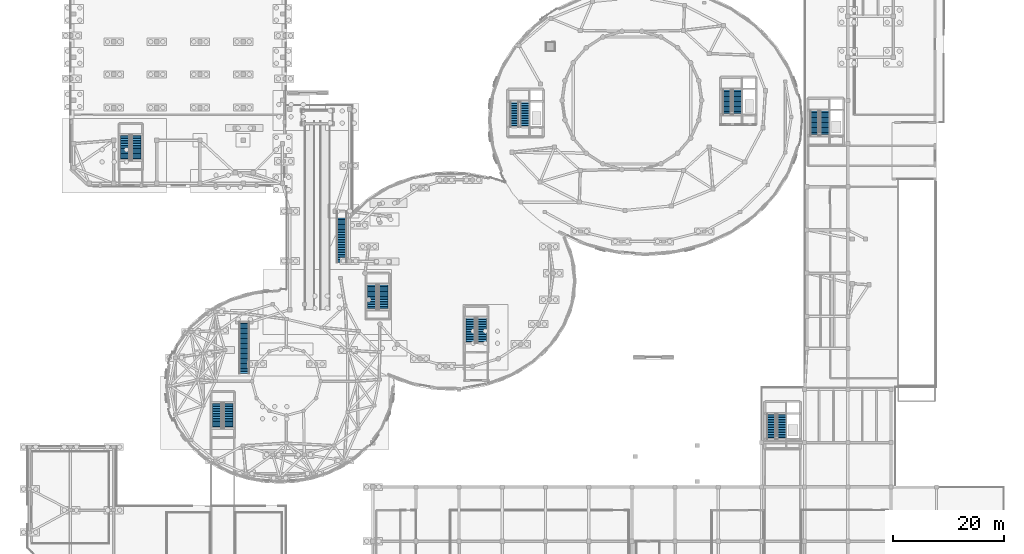
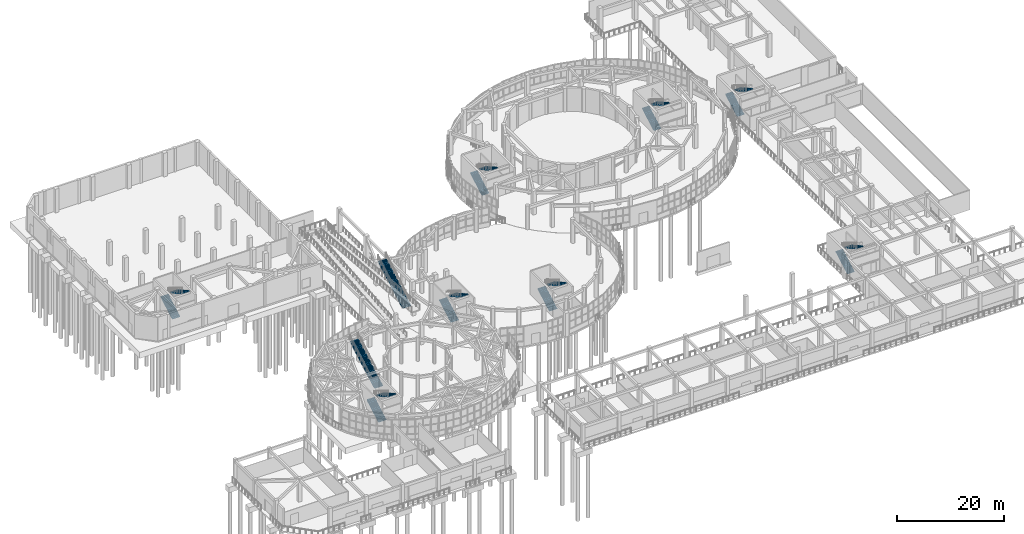
# One storey, part 80 of 96: 18 stair flights, 10 elements without a shape of their own.
"""IFC4 building model written with IfcOpenShell, lengths in metres."""

import ifcopenshell
import ifcopenshell.guid

model = None  # the IFC model being written
_history = None  # IfcOwnerHistory: only IFC2X3 demands one
_inside = {}  # id of a spatial element -> (the spatial element, [elements in it])
_under = {}  # id of a project, library or spatial element -> (it, [spatial elements below it])
_declared = {}  # id of a project -> (the project, [libraries it declares])
_typed = {}  # id of a type object -> (the type object, [elements of that type])
_made_of = {}  # id of a material, layer set ... -> (it, [elements and type objects made of it])


def new_model(schema):
    """Start an empty IFC model of exactly this schema.

    Asked for "IFC4X3", IfcOpenShell would pick the latest addendum, in which some entities
    have other attributes; the version numbers below select the first issue.
    IFC2X3 requires an IfcOwnerHistory on every rooted entity: one is made here for all.
    """
    global model, _history
    if schema == "IFC4X3":
        model = ifcopenshell.file(schema_version=(4, 3, 0, 0))
    else:
        model = ifcopenshell.file(schema=schema)
    _inside.clear()
    _under.clear()
    _declared.clear()
    _typed.clear()
    _made_of.clear()
    _history = None
    if model.schema == "IFC2X3":
        org = make("IfcOrganization", Name="unknown")
        user = make(
            "IfcPersonAndOrganization",
            ThePerson=make("IfcPerson", FamilyName="unknown"),
            TheOrganization=org,
        )
        app = make(
            "IfcApplication",
            ApplicationDeveloper=org,
            Version="unknown",
            ApplicationFullName="unknown",
            ApplicationIdentifier="unknown",
        )
        _history = make(
            "IfcOwnerHistory",
            OwningUser=user,
            OwningApplication=app,
            ChangeAction="ADDED",
            CreationDate=0,
        )
    return model


def make(cls, **values):
    """One entity of the class cls with the attributes given. An attribute that is None is left unset."""
    return model.create_entity(
        cls, **{name: value for name, value in values.items() if value is not None}
    )


def rooted(cls, **values):
    """An entity with a GlobalId (a new one), such as an element, a storey or a relation."""
    return make(cls, GlobalId=ifcopenshell.guid.new(), OwnerHistory=_history, **values)


def si_unit(unit_type, name, prefix=None):
    """IfcSIUnit, for example si_unit("LENGTHUNIT", "METRE", prefix="MILLI")."""
    return make("IfcSIUnit", UnitType=unit_type, Prefix=prefix, Name=name)


def assignment(units):
    """IfcUnitAssignment: the units of a project."""
    return None if units is None else make("IfcUnitAssignment", Units=units)


def point(xyz):
    """IfcCartesianPoint."""
    return None if xyz is None else make("IfcCartesianPoint", Coordinates=xyz)


def direction(xyz):
    """IfcDirection."""
    return None if xyz is None else make("IfcDirection", DirectionRatios=xyz)


def frame(location, z_axis=None, x_axis=None):
    """IfcAxis2Placement3D, a coordinate frame: its origin and axes. An axis left out is left unset."""
    return make(
        "IfcAxis2Placement3D",
        Location=point(location),
        Axis=direction(z_axis),
        RefDirection=direction(x_axis),
    )


def origin():
    """The frame at (0, 0, 0) with its axes left unset."""
    return frame((0.0, 0.0, 0.0))


def place(relative_to, where):
    """IfcLocalPlacement: puts the frame where relative to a parent placement (None: the world)."""
    return make(
        "IfcLocalPlacement", PlacementRelTo=relative_to, RelativePlacement=where
    )


def context(
    kind, dimensions, precision=None, world=None, true_north=None, identifier=None
):
    """IfcGeometricRepresentationContext, for example the 3D "Model" context."""
    return make(
        "IfcGeometricRepresentationContext",
        ContextIdentifier=identifier,
        ContextType=kind,
        CoordinateSpaceDimension=dimensions,
        Precision=precision,
        WorldCoordinateSystem=world,
        TrueNorth=true_north,
    )


def subcontext(parent, identifier, kind, view, scale=None):
    """IfcGeometricRepresentationSubContext, for example "Body" below "Model"."""
    return make(
        "IfcGeometricRepresentationSubContext",
        ContextIdentifier=identifier,
        ContextType=kind,
        ParentContext=parent,
        TargetScale=scale,
        TargetView=view,
    )


def project(units=None, contexts=None):
    """IfcProject with its units and contexts."""
    return rooted(
        "IfcProject",
        Name="project",
        RepresentationContexts=contexts,
        UnitsInContext=assignment(units),
    )


def spatial(cls, under=None, at=None, **own):
    """A site, building, storey or space (cls), placed at a placement, below another one or the project."""
    s = rooted(cls, ObjectPlacement=at, **own)
    if under is not None:
        _under.setdefault(under.id(), (under, []))[1].append(s)
    return s


def polyline(points):
    """IfcPolyline through the points."""
    return make("IfcPolyline", Points=[point(p) for p in points])


def outline(outer, holes=None, kind="AREA"):
    """IfcArbitraryClosedProfileDef: a profile drawn as a closed curve; with holes, ...WithVoids."""
    if holes is None:
        return make("IfcArbitraryClosedProfileDef", ProfileType=kind, OuterCurve=outer)
    return make(
        "IfcArbitraryProfileDefWithVoids",
        ProfileType=kind,
        OuterCurve=outer,
        InnerCurves=holes,
    )


def extrude(swept, where, along, depth):
    """IfcExtrudedAreaSolid: the profile swept, set in the frame where, extruded along a direction by depth."""
    return make(
        "IfcExtrudedAreaSolid",
        SweptArea=swept,
        Position=where,
        ExtrudedDirection=direction(along),
        Depth=depth,
    )


def shape(context_of_items, identifier, shape_type, items):
    """IfcShapeRepresentation: the items that make up one representation, for example the "Body"."""
    return make(
        "IfcShapeRepresentation",
        ContextOfItems=context_of_items,
        RepresentationIdentifier=identifier,
        RepresentationType=shape_type,
        Items=items,
    )


def material(Name=None, Category=None):
    """IfcMaterial."""
    return make("IfcMaterial", Name=Name, Category=Category)


def layer(
    of_material, thickness, ventilated=None, Name=None, Category=None, Priority=None
):
    """IfcMaterialLayer: one layer of a wall or slab, of a material (None: an air gap)."""
    return make(
        "IfcMaterialLayer",
        Material=of_material,
        LayerThickness=thickness,
        IsVentilated=ventilated,
        Name=Name,
        Category=Category,
        Priority=Priority,
    )


def layer_set(layers, Name=None):
    """IfcMaterialLayerSet."""
    return make("IfcMaterialLayerSet", MaterialLayers=layers, LayerSetName=Name)


def made_of(thing, what):
    """Note that an element or type object is made of a material, layer set ...; save() writes the relation."""
    if what is not None:
        _made_of.setdefault(what.id(), (what, []))[1].append(thing)
    return thing


def type_object(cls, material=None, **own):
    """A type object (cls), such as IfcWallType, which elements share."""
    return made_of(rooted(cls, **own), material)


def element(
    cls,
    number,
    at=None,
    inside=None,
    cuts=None,
    type_object=None,
    material=None,
    context=None,
    identifier="Body",
    shape_type=None,
    held_by="IfcProductDefinitionShape",
    body=None,
    shapes=None,
    **own,
):
    """One element of the class cls, such as IfcWall. Its Tag is "e" and its number.

    at: its placement. inside: the storey or other place that contains it. cuts: it is an
    opening in that element (IfcRelVoidsElement). A single representation is given by context,
    identifier, shape_type and body (its items); several are given by shapes. held_by: the class
    of the entity that holds the representations. save() writes the other relations.
    """
    e = rooted(cls, Tag="e%d" % number, ObjectPlacement=at, **own)
    if body is not None:
        shapes = [shape(context, identifier, shape_type, body)]
    if shapes is not None:
        e.Representation = make(held_by, Representations=shapes)
    if inside is not None:
        _inside.setdefault(inside.id(), (inside, []))[1].append(e)
    if cuts is not None:
        rooted(
            "IfcRelVoidsElement", RelatingBuildingElement=cuts, RelatedOpeningElement=e
        )
    if type_object is not None:
        _typed.setdefault(type_object.id(), (type_object, []))[1].append(e)
    return made_of(e, material)


def aggregate(whole, parts):
    """IfcRelAggregates: a whole, such as a stair, and the parts it consists of."""
    return rooted("IfcRelAggregates", RelatingObject=whole, RelatedObjects=parts)


def save(model, path):
    """Write the relations noted so far, then the file.

    IfcRelAggregates (storeys below a building ...), IfcRelContainedInSpatialStructure (elements
    in a storey), IfcRelDefinesByType, IfcRelAssociatesMaterial and IfcRelDeclares: one each for
    every whole, place, type object, material and project.
    """
    for whole, parts in _under.values():
        aggregate(whole, parts)
    for where, things in _inside.values():
        rooted(
            "IfcRelContainedInSpatialStructure",
            RelatedElements=things,
            RelatingStructure=where,
        )
    for kind, things in _typed.values():
        rooted("IfcRelDefinesByType", RelatedObjects=things, RelatingType=kind)
    for what, things in _made_of.values():
        rooted("IfcRelAssociatesMaterial", RelatedObjects=things, RelatingMaterial=what)
    for by, libraries in _declared.values():
        rooted("IfcRelDeclares", RelatingContext=by, RelatedDefinitions=libraries)
    model.write(path)


model = new_model("IFC4")

# Units and contexts
model_context = context("Model", 3, precision=1e-05, world=origin(), true_north=direction((0.0, 1.0)))
body_context = subcontext(model_context, "Body", "Model", "MODEL_VIEW")
ifc_project = project(units=[si_unit("LENGTHUNIT", "METRE"), si_unit("AREAUNIT", "SQUARE_METRE"), si_unit("VOLUMEUNIT", "CUBIC_METRE"), si_unit("PLANEANGLEUNIT", "RADIAN"), si_unit("MASSUNIT", "GRAM", prefix="KILO")], contexts=[model_context])

# Site, building, storey
site_placement = place(None, origin())
site = spatial("IfcSite", under=ifc_project, at=site_placement, CompositionType="ELEMENT")
building_placement = place(site_placement, origin())
building = spatial("IfcBuilding", under=site, at=building_placement, Name="Pelvatis Terrace Science Centre", CompositionType="ELEMENT")
storey_placement = place(building_placement, origin())
storey = spatial("IfcBuildingStorey", under=building, at=storey_placement, Name="L00", CompositionType="ELEMENT", Elevation=0.0)

# Stair, stair flights
ifc_material_1 = material(Name="Concrete C35/45", Category="concrete")
stair_type_1 = type_object("IfcStairType", Name="STR-2RUN-1500-54", PredefinedType="TWO_STRAIGHT_RUN_STAIR", material=ifc_material_1)
stair_1_placement = place(storey_placement, origin())
stair_1 = element("IfcStair", 1, at=stair_1_placement, inside=storey, type_object=stair_type_1, Name="Protected core stair ST-01-L00", PredefinedType="TWO_STRAIGHT_RUN_STAIR")
ifc_material_2 = material(Name="Concrete C35/45", Category="concrete")
ifc_layer_1 = layer(ifc_material_2, 0.179931640625)
ifc_layer_set_1 = layer_set([ifc_layer_1], Name="Concrete C35/45")
stair_flight_type_1 = type_object("IfcStairFlightType", Name="SFL-RC-1500", PredefinedType="STRAIGHT", material=ifc_layer_set_1)
stair_flight_1_placement = place(storey_placement, frame((87.949951171875, 81.0, 0.0), z_axis=(0.0, 0.0, 1.0), x_axis=(0.0, 1.0, 0.0)))
stair_flight_1 = element("IfcStairFlight", 2, at=stair_flight_1_placement, type_object=stair_flight_type_1, Name="ST-01-L00 flight 1", NumberOfRisers=16, NumberOfTreads=15, PredefinedType="STRAIGHT", RiserHeight=0.16875, TreadLength=0.3, context=body_context, shape_type="SweptSolid", body=[
    extrude(outline(polyline([(0.0, 0.0), (0.0, 0.168701171875), (0.300048828125, 0.168701171875), (0.300048828125, 0.33740234375), (0.60009765625, 0.33740234375), (0.60009765625, 0.50634765625), (0.89990234375, 0.50634765625), (0.89990234375, 0.675048828125), (1.199951171875, 0.675048828125), (1.199951171875, 0.84375), (1.5, 0.84375), (1.5, 1.012451171875), (1.800048828125, 1.012451171875), (1.800048828125, 1.18115234375), (2.10009765625, 1.18115234375), (2.10009765625, 1.35009765625), (2.39990234375, 1.35009765625), (2.39990234375, 1.518798828125), (2.699951171875, 1.518798828125), (2.699951171875, 1.6875), (3.0, 1.6875), (3.0, 1.856201171875), (3.300048828125, 1.856201171875), (3.300048828125, 2.02490234375), (3.60009765625, 2.02490234375), (3.60009765625, 2.19384765625), (3.89990234375, 2.19384765625), (3.89990234375, 2.362548828125), (4.199951171875, 2.362548828125), (4.199951171875, 2.53125), (4.5, 2.53125), (4.5, 2.699951171875), (4.5, 2.32470703125), (0.366943359375, 0.0), (0.0, 0.0)])), frame((0.0, 0.75, 0.0), z_axis=(0.0, -1.0, 0.0), x_axis=(1.0, 0.0, 0.0)), (0.0, 0.0, 1.0), 1.5),
])
stair_flight_2_placement = place(storey_placement, frame((89.85009765625, 85.5, 2.699951171875), z_axis=(0.0, 0.0, 1.0), x_axis=(0.0, -1.0, 0.0)))
stair_flight_2 = element("IfcStairFlight", 3, at=stair_flight_2_placement, type_object=stair_flight_type_1, Name="ST-01-L00 flight 2", NumberOfRisers=16, NumberOfTreads=15, PredefinedType="STRAIGHT", RiserHeight=0.16875, TreadLength=0.3, context=body_context, shape_type="SweptSolid", body=[
    extrude(outline(polyline([(0.0, 0.0), (0.0, 0.168701171875), (0.300048828125, 0.168701171875), (0.300048828125, 0.33740234375), (0.60009765625, 0.33740234375), (0.60009765625, 0.50634765625), (0.89990234375, 0.50634765625), (0.89990234375, 0.675048828125), (1.199951171875, 0.675048828125), (1.199951171875, 0.84375), (1.5, 0.84375), (1.5, 1.012451171875), (1.800048828125, 1.012451171875), (1.800048828125, 1.18115234375), (2.10009765625, 1.18115234375), (2.10009765625, 1.35009765625), (2.39990234375, 1.35009765625), (2.39990234375, 1.518798828125), (2.699951171875, 1.518798828125), (2.699951171875, 1.6875), (3.0, 1.6875), (3.0, 1.856201171875), (3.300048828125, 1.856201171875), (3.300048828125, 2.02490234375), (3.60009765625, 2.02490234375), (3.60009765625, 2.19384765625), (3.89990234375, 2.19384765625), (3.89990234375, 2.362548828125), (4.199951171875, 2.362548828125), (4.199951171875, 2.53125), (4.5, 2.53125), (4.5, 2.699951171875), (4.5, 2.32470703125), (0.366943359375, 0.0), (0.0, 0.0)])), frame((0.0, 0.75, 0.0), z_axis=(0.0, -1.0, 0.0), x_axis=(1.0, 0.0, 0.0)), (0.0, 0.0, 1.0), 1.5),
])
aggregate(stair_1, [stair_flight_1, stair_flight_2])

stair_2_placement = place(storey_placement, origin())
stair_2 = element("IfcStair", 4, at=stair_2_placement, inside=storey, type_object=stair_type_1, Name="Protected core stair ST-02-L00", PredefinedType="TWO_STRAIGHT_RUN_STAIR")
stair_flight_3_placement = place(storey_placement, frame((126.35009765625, 83.199951171875, 0.0), z_axis=(0.0, 0.0, 1.0), x_axis=(0.0, 1.0, 0.0)))
stair_flight_3 = element("IfcStairFlight", 5, at=stair_flight_3_placement, type_object=stair_flight_type_1, Name="ST-02-L00 flight 1", NumberOfRisers=16, NumberOfTreads=15, PredefinedType="STRAIGHT", RiserHeight=0.16875, TreadLength=0.3, context=body_context, shape_type="SweptSolid", body=[
    extrude(outline(polyline([(0.0, 0.0), (0.0, 0.168701171875), (0.300048828125, 0.168701171875), (0.300048828125, 0.33740234375), (0.60009765625, 0.33740234375), (0.60009765625, 0.50634765625), (0.89990234375, 0.50634765625), (0.89990234375, 0.675048828125), (1.199951171875, 0.675048828125), (1.199951171875, 0.84375), (1.5, 0.84375), (1.5, 1.012451171875), (1.800048828125, 1.012451171875), (1.800048828125, 1.18115234375), (2.10009765625, 1.18115234375), (2.10009765625, 1.35009765625), (2.39990234375, 1.35009765625), (2.39990234375, 1.518798828125), (2.699951171875, 1.518798828125), (2.699951171875, 1.6875), (3.0, 1.6875), (3.0, 1.856201171875), (3.300048828125, 1.856201171875), (3.300048828125, 2.02490234375), (3.60009765625, 2.02490234375), (3.60009765625, 2.19384765625), (3.89990234375, 2.19384765625), (3.89990234375, 2.362548828125), (4.199951171875, 2.362548828125), (4.199951171875, 2.53125), (4.5, 2.53125), (4.5, 2.699951171875), (4.5, 2.32470703125), (0.366943359375, 0.0), (0.0, 0.0)])), frame((0.0, 0.75, 0.0), z_axis=(0.0, -1.0, 0.0), x_axis=(1.0, 0.0, 0.0)), (0.0, 0.0, 1.0), 1.5),
])
stair_flight_4_placement = place(storey_placement, frame((128.25, 87.699951171875, 2.699951171875), z_axis=(0.0, 0.0, 1.0), x_axis=(0.0, -1.0, 0.0)))
stair_flight_4 = element("IfcStairFlight", 6, at=stair_flight_4_placement, type_object=stair_flight_type_1, Name="ST-02-L00 flight 2", NumberOfRisers=16, NumberOfTreads=15, PredefinedType="STRAIGHT", RiserHeight=0.16875, TreadLength=0.3, context=body_context, shape_type="SweptSolid", body=[
    extrude(outline(polyline([(0.0, 0.0), (0.0, 0.168701171875), (0.300048828125, 0.168701171875), (0.300048828125, 0.33740234375), (0.60009765625, 0.33740234375), (0.60009765625, 0.50634765625), (0.89990234375, 0.50634765625), (0.89990234375, 0.675048828125), (1.199951171875, 0.675048828125), (1.199951171875, 0.84375), (1.5, 0.84375), (1.5, 1.012451171875), (1.800048828125, 1.012451171875), (1.800048828125, 1.18115234375), (2.10009765625, 1.18115234375), (2.10009765625, 1.35009765625), (2.39990234375, 1.35009765625), (2.39990234375, 1.518798828125), (2.699951171875, 1.518798828125), (2.699951171875, 1.6875), (3.0, 1.6875), (3.0, 1.856201171875), (3.300048828125, 1.856201171875), (3.300048828125, 2.02490234375), (3.60009765625, 2.02490234375), (3.60009765625, 2.19384765625), (3.89990234375, 2.19384765625), (3.89990234375, 2.362548828125), (4.199951171875, 2.362548828125), (4.199951171875, 2.53125), (4.5, 2.53125), (4.5, 2.699951171875), (4.5, 2.32470703125), (0.366943359375, 0.0), (0.0, 0.0)])), frame((0.0, 0.75, 0.0), z_axis=(0.0, -1.0, 0.0), x_axis=(1.0, 0.0, 0.0)), (0.0, 0.0, 1.0), 1.5),
])
aggregate(stair_2, [stair_flight_3, stair_flight_4])

stair_3_placement = place(storey_placement, origin())
stair_3 = element("IfcStair", 7, at=stair_3_placement, inside=storey, type_object=stair_type_1, Name="Protected core stair ST-03-L00", PredefinedType="TWO_STRAIGHT_RUN_STAIR")
stair_flight_5_placement = place(storey_placement, frame((142.14990234375, 79.39990234375, 0.0), z_axis=(0.0, 0.0, 1.0), x_axis=(0.0, 1.0, 0.0)))
stair_flight_5 = element("IfcStairFlight", 8, at=stair_flight_5_placement, type_object=stair_flight_type_1, Name="ST-03-L00 flight 1", NumberOfRisers=16, NumberOfTreads=15, PredefinedType="STRAIGHT", RiserHeight=0.16875, TreadLength=0.3, context=body_context, shape_type="SweptSolid", body=[
    extrude(outline(polyline([(0.0, 0.0), (0.0, 0.168701171875), (0.300048828125, 0.168701171875), (0.300048828125, 0.33740234375), (0.60009765625, 0.33740234375), (0.60009765625, 0.50634765625), (0.89990234375, 0.50634765625), (0.89990234375, 0.675048828125), (1.199951171875, 0.675048828125), (1.199951171875, 0.84375), (1.5, 0.84375), (1.5, 1.012451171875), (1.800048828125, 1.012451171875), (1.800048828125, 1.18115234375), (2.10009765625, 1.18115234375), (2.10009765625, 1.35009765625), (2.39990234375, 1.35009765625), (2.39990234375, 1.518798828125), (2.699951171875, 1.518798828125), (2.699951171875, 1.6875), (3.0, 1.6875), (3.0, 1.856201171875), (3.300048828125, 1.856201171875), (3.300048828125, 2.02490234375), (3.60009765625, 2.02490234375), (3.60009765625, 2.19384765625), (3.89990234375, 2.19384765625), (3.89990234375, 2.362548828125), (4.199951171875, 2.362548828125), (4.199951171875, 2.53125), (4.5, 2.53125), (4.5, 2.699951171875), (4.5, 2.32470703125), (0.366943359375, 0.0), (0.0, 0.0)])), frame((0.0, 0.75, 0.0), z_axis=(0.0, -1.0, 0.0), x_axis=(1.0, 0.0, 0.0)), (0.0, 0.0, 1.0), 1.5),
])
stair_flight_6_placement = place(storey_placement, frame((144.050048828125, 83.89990234375, 2.699951171875), z_axis=(0.0, 0.0, 1.0), x_axis=(0.0, -1.0, 0.0)))
stair_flight_6 = element("IfcStairFlight", 9, at=stair_flight_6_placement, type_object=stair_flight_type_1, Name="ST-03-L00 flight 2", NumberOfRisers=16, NumberOfTreads=15, PredefinedType="STRAIGHT", RiserHeight=0.16875, TreadLength=0.3, context=body_context, shape_type="SweptSolid", body=[
    extrude(outline(polyline([(0.0, 0.0), (0.0, 0.168701171875), (0.300048828125, 0.168701171875), (0.300048828125, 0.33740234375), (0.60009765625, 0.33740234375), (0.60009765625, 0.50634765625), (0.89990234375, 0.50634765625), (0.89990234375, 0.675048828125), (1.199951171875, 0.675048828125), (1.199951171875, 0.84375), (1.5, 0.84375), (1.5, 1.012451171875), (1.800048828125, 1.012451171875), (1.800048828125, 1.18115234375), (2.10009765625, 1.18115234375), (2.10009765625, 1.35009765625), (2.39990234375, 1.35009765625), (2.39990234375, 1.518798828125), (2.699951171875, 1.518798828125), (2.699951171875, 1.6875), (3.0, 1.6875), (3.0, 1.856201171875), (3.300048828125, 1.856201171875), (3.300048828125, 2.02490234375), (3.60009765625, 2.02490234375), (3.60009765625, 2.19384765625), (3.89990234375, 2.19384765625), (3.89990234375, 2.362548828125), (4.199951171875, 2.362548828125), (4.199951171875, 2.53125), (4.5, 2.53125), (4.5, 2.699951171875), (4.5, 2.32470703125), (0.366943359375, 0.0), (0.0, 0.0)])), frame((0.0, 0.75, 0.0), z_axis=(0.0, -1.0, 0.0), x_axis=(1.0, 0.0, 0.0)), (0.0, 0.0, 1.0), 1.5),
])
aggregate(stair_3, [stair_flight_5, stair_flight_6])

stair_4_placement = place(storey_placement, origin())
stair_4 = element("IfcStair", 10, at=stair_4_placement, inside=storey, type_object=stair_type_1, Name="Protected core stair ST-04-L00", PredefinedType="TWO_STRAIGHT_RUN_STAIR")
stair_flight_7_placement = place(storey_placement, frame((134.35009765625, 24.60009765625, 0.0), z_axis=(0.0, 0.0, 1.0), x_axis=(0.0, 1.0, 0.0)))
stair_flight_7 = element("IfcStairFlight", 11, at=stair_flight_7_placement, type_object=stair_flight_type_1, Name="ST-04-L00 flight 1", NumberOfRisers=16, NumberOfTreads=15, PredefinedType="STRAIGHT", RiserHeight=0.16875, TreadLength=0.3, context=body_context, shape_type="SweptSolid", body=[
    extrude(outline(polyline([(0.0, 0.0), (0.0, 0.168701171875), (0.300048828125, 0.168701171875), (0.300048828125, 0.33740234375), (0.60009765625, 0.33740234375), (0.60009765625, 0.50634765625), (0.89990234375, 0.50634765625), (0.89990234375, 0.675048828125), (1.199951171875, 0.675048828125), (1.199951171875, 0.84375), (1.5, 0.84375), (1.5, 1.012451171875), (1.800048828125, 1.012451171875), (1.800048828125, 1.18115234375), (2.10009765625, 1.18115234375), (2.10009765625, 1.35009765625), (2.39990234375, 1.35009765625), (2.39990234375, 1.518798828125), (2.699951171875, 1.518798828125), (2.699951171875, 1.6875), (3.0, 1.6875), (3.0, 1.856201171875), (3.300048828125, 1.856201171875), (3.300048828125, 2.02490234375), (3.60009765625, 2.02490234375), (3.60009765625, 2.19384765625), (3.89990234375, 2.19384765625), (3.89990234375, 2.362548828125), (4.199951171875, 2.362548828125), (4.199951171875, 2.53125), (4.5, 2.53125), (4.5, 2.699951171875), (4.5, 2.32470703125), (0.366943359375, 0.0), (0.0, 0.0)])), frame((0.0, 0.75, 0.0), z_axis=(0.0, -1.0, 0.0), x_axis=(1.0, 0.0, 0.0)), (0.0, 0.0, 1.0), 1.5),
])
stair_flight_8_placement = place(storey_placement, frame((136.25, 29.10009765625, 2.699951171875), z_axis=(0.0, 0.0, 1.0), x_axis=(0.0, -1.0, 0.0)))
stair_flight_8 = element("IfcStairFlight", 12, at=stair_flight_8_placement, type_object=stair_flight_type_1, Name="ST-04-L00 flight 2", NumberOfRisers=16, NumberOfTreads=15, PredefinedType="STRAIGHT", RiserHeight=0.16875, TreadLength=0.3, context=body_context, shape_type="SweptSolid", body=[
    extrude(outline(polyline([(0.0, 0.0), (0.0, 0.168701171875), (0.300048828125, 0.168701171875), (0.300048828125, 0.33740234375), (0.60009765625, 0.33740234375), (0.60009765625, 0.50634765625), (0.89990234375, 0.50634765625), (0.89990234375, 0.675048828125), (1.199951171875, 0.675048828125), (1.199951171875, 0.84375), (1.5, 0.84375), (1.5, 1.012451171875), (1.800048828125, 1.012451171875), (1.800048828125, 1.18115234375), (2.10009765625, 1.18115234375), (2.10009765625, 1.35009765625), (2.39990234375, 1.35009765625), (2.39990234375, 1.518798828125), (2.699951171875, 1.518798828125), (2.699951171875, 1.6875), (3.0, 1.6875), (3.0, 1.856201171875), (3.300048828125, 1.856201171875), (3.300048828125, 2.02490234375), (3.60009765625, 2.02490234375), (3.60009765625, 2.19384765625), (3.89990234375, 2.19384765625), (3.89990234375, 2.362548828125), (4.199951171875, 2.362548828125), (4.199951171875, 2.53125), (4.5, 2.53125), (4.5, 2.699951171875), (4.5, 2.32470703125), (0.366943359375, 0.0), (0.0, 0.0)])), frame((0.0, 0.75, 0.0), z_axis=(0.0, -1.0, 0.0), x_axis=(1.0, 0.0, 0.0)), (0.0, 0.0, 1.0), 1.5),
])
aggregate(stair_4, [stair_flight_7, stair_flight_8])

ifc_material_3 = material(Name="Concrete C35/45", Category="concrete")
stair_type_2 = type_object("IfcStairType", Name="STR-2RUN-1650-54", PredefinedType="TWO_STRAIGHT_RUN_STAIR", material=ifc_material_3)
stair_5_placement = place(storey_placement, origin())
stair_5 = element("IfcStair", 13, at=stair_5_placement, inside=storey, type_object=stair_type_2, Name="Protected exit stair ST-05-L00", PredefinedType="TWO_STRAIGHT_RUN_STAIR")
ifc_material_4 = material(Name="Concrete C35/45", Category="concrete")
ifc_layer_2 = layer(ifc_material_4, 0.18994140625)
ifc_layer_set_2 = layer_set([ifc_layer_2], Name="Concrete C35/45")
stair_flight_type_2 = type_object("IfcStairFlightType", Name="SFL-RC-1650", PredefinedType="STRAIGHT", material=ifc_layer_set_2)
stair_flight_9_placement = place(storey_placement, frame((62.27490234375, 48.0, 0.0), z_axis=(0.0, 0.0, 1.0), x_axis=(0.0, 1.0, 0.0)))
stair_flight_9 = element("IfcStairFlight", 14, at=stair_flight_9_placement, type_object=stair_flight_type_2, Name="ST-05-L00 flight 1", NumberOfRisers=16, NumberOfTreads=15, PredefinedType="STRAIGHT", RiserHeight=0.16875, TreadLength=0.3, context=body_context, shape_type="SweptSolid", body=[
    extrude(outline(polyline([(0.0, 0.0), (0.0, 0.168701171875), (0.300048828125, 0.168701171875), (0.300048828125, 0.33740234375), (0.60009765625, 0.33740234375), (0.60009765625, 0.50634765625), (0.89990234375, 0.50634765625), (0.89990234375, 0.675048828125), (1.199951171875, 0.675048828125), (1.199951171875, 0.84375), (1.5, 0.84375), (1.5, 1.012451171875), (1.800048828125, 1.012451171875), (1.800048828125, 1.18115234375), (2.10009765625, 1.18115234375), (2.10009765625, 1.35009765625), (2.39990234375, 1.35009765625), (2.39990234375, 1.518798828125), (2.699951171875, 1.518798828125), (2.699951171875, 1.6875), (3.0, 1.6875), (3.0, 1.856201171875), (3.300048828125, 1.856201171875), (3.300048828125, 2.02490234375), (3.60009765625, 2.02490234375), (3.60009765625, 2.19384765625), (3.89990234375, 2.19384765625), (3.89990234375, 2.362548828125), (4.199951171875, 2.362548828125), (4.199951171875, 2.53125), (4.5, 2.53125), (4.5, 2.699951171875), (4.5, 2.313232421875), (0.387451171875, 0.0), (0.0, 0.0)])), frame((0.0, 0.824951171875, 0.0), z_axis=(0.0, -1.0, 0.0), x_axis=(1.0, 0.0, 0.0)), (0.0, 0.0, 1.0), 1.64990234375),
])
stair_flight_10_placement = place(storey_placement, frame((64.324951171875, 52.5, 2.699951171875), z_axis=(0.0, 0.0, 1.0), x_axis=(0.0, -1.0, 0.0)))
stair_flight_10 = element("IfcStairFlight", 15, at=stair_flight_10_placement, type_object=stair_flight_type_2, Name="ST-05-L00 flight 2", NumberOfRisers=16, NumberOfTreads=15, PredefinedType="STRAIGHT", RiserHeight=0.16875, TreadLength=0.3, context=body_context, shape_type="SweptSolid", body=[
    extrude(outline(polyline([(0.0, 0.0), (0.0, 0.168701171875), (0.300048828125, 0.168701171875), (0.300048828125, 0.33740234375), (0.60009765625, 0.33740234375), (0.60009765625, 0.50634765625), (0.89990234375, 0.50634765625), (0.89990234375, 0.675048828125), (1.199951171875, 0.675048828125), (1.199951171875, 0.84375), (1.5, 0.84375), (1.5, 1.012451171875), (1.800048828125, 1.012451171875), (1.800048828125, 1.18115234375), (2.10009765625, 1.18115234375), (2.10009765625, 1.35009765625), (2.39990234375, 1.35009765625), (2.39990234375, 1.518798828125), (2.699951171875, 1.518798828125), (2.699951171875, 1.6875), (3.0, 1.6875), (3.0, 1.856201171875), (3.300048828125, 1.856201171875), (3.300048828125, 2.02490234375), (3.60009765625, 2.02490234375), (3.60009765625, 2.19384765625), (3.89990234375, 2.19384765625), (3.89990234375, 2.362548828125), (4.199951171875, 2.362548828125), (4.199951171875, 2.53125), (4.5, 2.53125), (4.5, 2.699951171875), (4.5, 2.313232421875), (0.387451171875, 0.0), (0.0, 0.0)])), frame((0.0, 0.824951171875, 0.0), z_axis=(0.0, -1.0, 0.0), x_axis=(1.0, 0.0, 0.0)), (0.0, 0.0, 1.0), 1.64990234375),
])
aggregate(stair_5, [stair_flight_9, stair_flight_10])

stair_6_placement = place(storey_placement, origin())
stair_6 = element("IfcStair", 16, at=stair_6_placement, inside=storey, type_object=stair_type_2, Name="Protected exit stair ST-06-L00", PredefinedType="TWO_STRAIGHT_RUN_STAIR")
stair_flight_11_placement = place(storey_placement, frame((80.074951171875, 42.0, 0.0), z_axis=(0.0, 0.0, 1.0), x_axis=(0.0, 1.0, 0.0)))
stair_flight_11 = element("IfcStairFlight", 17, at=stair_flight_11_placement, type_object=stair_flight_type_2, Name="ST-06-L00 flight 1", NumberOfRisers=16, NumberOfTreads=15, PredefinedType="STRAIGHT", RiserHeight=0.16875, TreadLength=0.3, context=body_context, shape_type="SweptSolid", body=[
    extrude(outline(polyline([(0.0, 0.0), (0.0, 0.168701171875), (0.300048828125, 0.168701171875), (0.300048828125, 0.33740234375), (0.60009765625, 0.33740234375), (0.60009765625, 0.50634765625), (0.89990234375, 0.50634765625), (0.89990234375, 0.675048828125), (1.199951171875, 0.675048828125), (1.199951171875, 0.84375), (1.5, 0.84375), (1.5, 1.012451171875), (1.800048828125, 1.012451171875), (1.800048828125, 1.18115234375), (2.10009765625, 1.18115234375), (2.10009765625, 1.35009765625), (2.39990234375, 1.35009765625), (2.39990234375, 1.518798828125), (2.699951171875, 1.518798828125), (2.699951171875, 1.6875), (3.0, 1.6875), (3.0, 1.856201171875), (3.300048828125, 1.856201171875), (3.300048828125, 2.02490234375), (3.60009765625, 2.02490234375), (3.60009765625, 2.19384765625), (3.89990234375, 2.19384765625), (3.89990234375, 2.362548828125), (4.199951171875, 2.362548828125), (4.199951171875, 2.53125), (4.5, 2.53125), (4.5, 2.699951171875), (4.5, 2.313232421875), (0.387451171875, 0.0), (0.0, 0.0)])), frame((0.0, 0.824951171875, 0.0), z_axis=(0.0, -1.0, 0.0), x_axis=(1.0, 0.0, 0.0)), (0.0, 0.0, 1.0), 1.64990234375),
])
stair_flight_12_placement = place(storey_placement, frame((82.125, 46.5, 2.699951171875), z_axis=(0.0, 0.0, 1.0), x_axis=(0.0, -1.0, 0.0)))
stair_flight_12 = element("IfcStairFlight", 18, at=stair_flight_12_placement, type_object=stair_flight_type_2, Name="ST-06-L00 flight 2", NumberOfRisers=16, NumberOfTreads=15, PredefinedType="STRAIGHT", RiserHeight=0.16875, TreadLength=0.3, context=body_context, shape_type="SweptSolid", body=[
    extrude(outline(polyline([(0.0, 0.0), (0.0, 0.168701171875), (0.300048828125, 0.168701171875), (0.300048828125, 0.33740234375), (0.60009765625, 0.33740234375), (0.60009765625, 0.50634765625), (0.89990234375, 0.50634765625), (0.89990234375, 0.675048828125), (1.199951171875, 0.675048828125), (1.199951171875, 0.84375), (1.5, 0.84375), (1.5, 1.012451171875), (1.800048828125, 1.012451171875), (1.800048828125, 1.18115234375), (2.10009765625, 1.18115234375), (2.10009765625, 1.35009765625), (2.39990234375, 1.35009765625), (2.39990234375, 1.518798828125), (2.699951171875, 1.518798828125), (2.699951171875, 1.6875), (3.0, 1.6875), (3.0, 1.856201171875), (3.300048828125, 1.856201171875), (3.300048828125, 2.02490234375), (3.60009765625, 2.02490234375), (3.60009765625, 2.19384765625), (3.89990234375, 2.19384765625), (3.89990234375, 2.362548828125), (4.199951171875, 2.362548828125), (4.199951171875, 2.53125), (4.5, 2.53125), (4.5, 2.699951171875), (4.5, 2.313232421875), (0.387451171875, 0.0), (0.0, 0.0)])), frame((0.0, 0.824951171875, 0.0), z_axis=(0.0, -1.0, 0.0), x_axis=(1.0, 0.0, 0.0)), (0.0, 0.0, 1.0), 1.64990234375),
])
aggregate(stair_6, [stair_flight_11, stair_flight_12])

stair_7_placement = place(storey_placement, origin())
stair_7 = element("IfcStair", 19, at=stair_7_placement, inside=storey, type_object=stair_type_2, Name="Protected exit stair ST-07-L00", PredefinedType="TWO_STRAIGHT_RUN_STAIR")
stair_flight_13_placement = place(storey_placement, frame((17.675048828125, 75.0, 0.0), z_axis=(0.0, 0.0, 1.0), x_axis=(0.0, 1.0, 0.0)))
stair_flight_13 = element("IfcStairFlight", 20, at=stair_flight_13_placement, type_object=stair_flight_type_2, Name="ST-07-L00 flight 1", NumberOfRisers=16, NumberOfTreads=15, PredefinedType="STRAIGHT", RiserHeight=0.16875, TreadLength=0.3, context=body_context, shape_type="SweptSolid", body=[
    extrude(outline(polyline([(0.0, 0.0), (0.0, 0.168701171875), (0.300048828125, 0.168701171875), (0.300048828125, 0.33740234375), (0.60009765625, 0.33740234375), (0.60009765625, 0.50634765625), (0.89990234375, 0.50634765625), (0.89990234375, 0.675048828125), (1.199951171875, 0.675048828125), (1.199951171875, 0.84375), (1.5, 0.84375), (1.5, 1.012451171875), (1.800048828125, 1.012451171875), (1.800048828125, 1.18115234375), (2.10009765625, 1.18115234375), (2.10009765625, 1.35009765625), (2.39990234375, 1.35009765625), (2.39990234375, 1.518798828125), (2.699951171875, 1.518798828125), (2.699951171875, 1.6875), (3.0, 1.6875), (3.0, 1.856201171875), (3.300048828125, 1.856201171875), (3.300048828125, 2.02490234375), (3.60009765625, 2.02490234375), (3.60009765625, 2.19384765625), (3.89990234375, 2.19384765625), (3.89990234375, 2.362548828125), (4.199951171875, 2.362548828125), (4.199951171875, 2.53125), (4.5, 2.53125), (4.5, 2.699951171875), (4.5, 2.313232421875), (0.387451171875, 0.0), (0.0, 0.0)])), frame((0.0, 0.824951171875, 0.0), z_axis=(0.0, -1.0, 0.0), x_axis=(1.0, 0.0, 0.0)), (0.0, 0.0, 1.0), 1.64990234375),
])
stair_flight_14_placement = place(storey_placement, frame((19.72509765625, 79.5, 2.699951171875), z_axis=(0.0, 0.0, 1.0), x_axis=(0.0, -1.0, 0.0)))
stair_flight_14 = element("IfcStairFlight", 21, at=stair_flight_14_placement, type_object=stair_flight_type_2, Name="ST-07-L00 flight 2", NumberOfRisers=16, NumberOfTreads=15, PredefinedType="STRAIGHT", RiserHeight=0.16875, TreadLength=0.3, context=body_context, shape_type="SweptSolid", body=[
    extrude(outline(polyline([(0.0, 0.0), (0.0, 0.168701171875), (0.300048828125, 0.168701171875), (0.300048828125, 0.33740234375), (0.60009765625, 0.33740234375), (0.60009765625, 0.50634765625), (0.89990234375, 0.50634765625), (0.89990234375, 0.675048828125), (1.199951171875, 0.675048828125), (1.199951171875, 0.84375), (1.5, 0.84375), (1.5, 1.012451171875), (1.800048828125, 1.012451171875), (1.800048828125, 1.18115234375), (2.10009765625, 1.18115234375), (2.10009765625, 1.35009765625), (2.39990234375, 1.35009765625), (2.39990234375, 1.518798828125), (2.699951171875, 1.518798828125), (2.699951171875, 1.6875), (3.0, 1.6875), (3.0, 1.856201171875), (3.300048828125, 1.856201171875), (3.300048828125, 2.02490234375), (3.60009765625, 2.02490234375), (3.60009765625, 2.19384765625), (3.89990234375, 2.19384765625), (3.89990234375, 2.362548828125), (4.199951171875, 2.362548828125), (4.199951171875, 2.53125), (4.5, 2.53125), (4.5, 2.699951171875), (4.5, 2.313232421875), (0.387451171875, 0.0), (0.0, 0.0)])), frame((0.0, 0.824951171875, 0.0), z_axis=(0.0, -1.0, 0.0), x_axis=(1.0, 0.0, 0.0)), (0.0, 0.0, 1.0), 1.64990234375),
])
aggregate(stair_7, [stair_flight_13, stair_flight_14])

stair_8_placement = place(storey_placement, origin())
stair_8 = element("IfcStair", 22, at=stair_8_placement, inside=storey, type_object=stair_type_2, Name="Protected exit stair ST-08-L00", PredefinedType="TWO_STRAIGHT_RUN_STAIR")
stair_flight_15_placement = place(storey_placement, frame((34.27490234375, 26.60009765625, 0.0), z_axis=(0.0, 0.0, 1.0), x_axis=(0.0, 1.0, 0.0)))
stair_flight_15 = element("IfcStairFlight", 23, at=stair_flight_15_placement, type_object=stair_flight_type_2, Name="ST-08-L00 flight 1", NumberOfRisers=16, NumberOfTreads=15, PredefinedType="STRAIGHT", RiserHeight=0.16875, TreadLength=0.3, context=body_context, shape_type="SweptSolid", body=[
    extrude(outline(polyline([(0.0, 0.0), (0.0, 0.168701171875), (0.300048828125, 0.168701171875), (0.300048828125, 0.33740234375), (0.60009765625, 0.33740234375), (0.60009765625, 0.50634765625), (0.89990234375, 0.50634765625), (0.89990234375, 0.675048828125), (1.199951171875, 0.675048828125), (1.199951171875, 0.84375), (1.5, 0.84375), (1.5, 1.012451171875), (1.800048828125, 1.012451171875), (1.800048828125, 1.18115234375), (2.10009765625, 1.18115234375), (2.10009765625, 1.35009765625), (2.39990234375, 1.35009765625), (2.39990234375, 1.518798828125), (2.699951171875, 1.518798828125), (2.699951171875, 1.6875), (3.0, 1.6875), (3.0, 1.856201171875), (3.300048828125, 1.856201171875), (3.300048828125, 2.02490234375), (3.60009765625, 2.02490234375), (3.60009765625, 2.19384765625), (3.89990234375, 2.19384765625), (3.89990234375, 2.362548828125), (4.199951171875, 2.362548828125), (4.199951171875, 2.53125), (4.5, 2.53125), (4.5, 2.699951171875), (4.5, 2.313232421875), (0.387451171875, 0.0), (0.0, 0.0)])), frame((0.0, 0.824951171875, 0.0), z_axis=(0.0, -1.0, 0.0), x_axis=(1.0, 0.0, 0.0)), (0.0, 0.0, 1.0), 1.64990234375),
])
stair_flight_16_placement = place(storey_placement, frame((36.324951171875, 31.10009765625, 2.699951171875), z_axis=(0.0, 0.0, 1.0), x_axis=(0.0, -1.0, 0.0)))
stair_flight_16 = element("IfcStairFlight", 24, at=stair_flight_16_placement, type_object=stair_flight_type_2, Name="ST-08-L00 flight 2", NumberOfRisers=16, NumberOfTreads=15, PredefinedType="STRAIGHT", RiserHeight=0.16875, TreadLength=0.3, context=body_context, shape_type="SweptSolid", body=[
    extrude(outline(polyline([(0.0, 0.0), (0.0, 0.168701171875), (0.300048828125, 0.168701171875), (0.300048828125, 0.33740234375), (0.60009765625, 0.33740234375), (0.60009765625, 0.50634765625), (0.89990234375, 0.50634765625), (0.89990234375, 0.675048828125), (1.199951171875, 0.675048828125), (1.199951171875, 0.84375), (1.5, 0.84375), (1.5, 1.012451171875), (1.800048828125, 1.012451171875), (1.800048828125, 1.18115234375), (2.10009765625, 1.18115234375), (2.10009765625, 1.35009765625), (2.39990234375, 1.35009765625), (2.39990234375, 1.518798828125), (2.699951171875, 1.518798828125), (2.699951171875, 1.6875), (3.0, 1.6875), (3.0, 1.856201171875), (3.300048828125, 1.856201171875), (3.300048828125, 2.02490234375), (3.60009765625, 2.02490234375), (3.60009765625, 2.19384765625), (3.89990234375, 2.19384765625), (3.89990234375, 2.362548828125), (4.199951171875, 2.362548828125), (4.199951171875, 2.53125), (4.5, 2.53125), (4.5, 2.699951171875), (4.5, 2.313232421875), (0.387451171875, 0.0), (0.0, 0.0)])), frame((0.0, 0.824951171875, 0.0), z_axis=(0.0, -1.0, 0.0), x_axis=(1.0, 0.0, 0.0)), (0.0, 0.0, 1.0), 1.64990234375),
])
aggregate(stair_8, [stair_flight_15, stair_flight_16])

# Stair, stair flight
ifc_material_5 = material(Name="Concrete C35/45", Category="concrete")
stair_type_3 = type_object("IfcStairType", Name="STR-1RUN-1800-54", PredefinedType="STRAIGHT_RUN_STAIR", material=ifc_material_5)
stair_9_placement = place(storey_placement, origin())
stair_9 = element("IfcStair", 25, at=stair_9_placement, inside=storey, type_object=stair_type_3, Name="Monumental straight stair FST-01", PredefinedType="STRAIGHT_RUN_STAIR")
ifc_material_6 = material(Name="Concrete C35/45", Category="concrete")
ifc_layer_3 = layer(ifc_material_6, 0.199951171875)
ifc_layer_set_3 = layer_set([ifc_layer_3], Name="Concrete C35/45")
stair_flight_type_3 = type_object("IfcStairFlightType", Name="SFL-RC-1800", PredefinedType="STRAIGHT", material=ifc_layer_set_3)
stair_flight_17_placement = place(storey_placement, frame((39.199951171875, 36.5, 0.0), z_axis=(0.0, 0.0, 1.0), x_axis=(0.0, 1.0, 0.0)))
stair_flight_17 = element("IfcStairFlight", 26, at=stair_flight_17_placement, type_object=stair_flight_type_3, Name="FST-01 flight 1", NumberOfRisers=32, NumberOfTreads=31, PredefinedType="STRAIGHT", RiserHeight=0.16875, TreadLength=0.3, context=body_context, shape_type="SweptSolid", body=[
    extrude(outline(polyline([(0.0, 0.0), (0.0, 0.168701171875), (0.300048828125, 0.168701171875), (0.300048828125, 0.33740234375), (0.60009765625, 0.33740234375), (0.60009765625, 0.50634765625), (0.89990234375, 0.50634765625), (0.89990234375, 0.675048828125), (1.199951171875, 0.675048828125), (1.199951171875, 0.84375), (1.5, 0.84375), (1.5, 1.012451171875), (1.800048828125, 1.012451171875), (1.800048828125, 1.18115234375), (2.10009765625, 1.18115234375), (2.10009765625, 1.35009765625), (2.39990234375, 1.35009765625), (2.39990234375, 1.518798828125), (2.699951171875, 1.518798828125), (2.699951171875, 1.6875), (3.0, 1.6875), (3.0, 1.856201171875), (3.300048828125, 1.856201171875), (3.300048828125, 2.02490234375), (3.60009765625, 2.02490234375), (3.60009765625, 2.19384765625), (3.89990234375, 2.19384765625), (3.89990234375, 2.362548828125), (4.199951171875, 2.362548828125), (4.199951171875, 2.53125), (4.5, 2.53125), (4.5, 2.699951171875), (4.800048828125, 2.699951171875), (4.800048828125, 2.86865234375), (5.10009765625, 2.86865234375), (5.10009765625, 3.03759765625), (5.39990234375, 3.03759765625), (5.39990234375, 3.206298828125), (5.699951171875, 3.206298828125), (5.699951171875, 3.375), (6.0, 3.375), (6.0, 3.543701171875), (6.300048828125, 3.543701171875), (6.300048828125, 3.71240234375), (6.60009765625, 3.71240234375), (6.60009765625, 3.88134765625), (6.89990234375, 3.88134765625), (6.89990234375, 4.050048828125), (7.199951171875, 4.050048828125), (7.199951171875, 4.21875), (7.5, 4.21875), (7.5, 4.387451171875), (7.800048828125, 4.387451171875), (7.800048828125, 4.55615234375), (8.10009765625, 4.55615234375), (8.10009765625, 4.72509765625), (8.39990234375, 4.72509765625), (8.39990234375, 4.893798828125), (8.699951171875, 4.893798828125), (8.699951171875, 5.0625), (9.0, 5.0625), (9.0, 5.231201171875), (9.300048828125, 5.231201171875), (9.300048828125, 5.39990234375), (9.300048828125, 5.00732421875), (0.39794921875, 0.0), (0.0, 0.0)])), frame((0.0, 0.89990234375, 0.0), z_axis=(0.0, -1.0, 0.0), x_axis=(1.0, 0.0, 0.0)), (0.0, 0.0, 1.0), 1.800048828125),
])
aggregate(stair_9, [stair_flight_17])

stair_10_placement = place(storey_placement, origin())
stair_10 = element("IfcStair", 27, at=stair_10_placement, inside=storey, type_object=stair_type_3, Name="Monumental straight stair FST-02", PredefinedType="STRAIGHT_RUN_STAIR")
stair_flight_18_placement = place(storey_placement, frame((56.800048828125, 56.5, 0.0), z_axis=(0.0, 0.0, 1.0), x_axis=(0.0, 1.0, 0.0)))
stair_flight_18 = element("IfcStairFlight", 28, at=stair_flight_18_placement, type_object=stair_flight_type_3, Name="FST-02 flight 1", NumberOfRisers=32, NumberOfTreads=31, PredefinedType="STRAIGHT", RiserHeight=0.16875, TreadLength=0.3, context=body_context, shape_type="SweptSolid", body=[
    extrude(outline(polyline([(0.0, 0.0), (0.0, 0.168701171875), (0.300048828125, 0.168701171875), (0.300048828125, 0.33740234375), (0.60009765625, 0.33740234375), (0.60009765625, 0.50634765625), (0.89990234375, 0.50634765625), (0.89990234375, 0.675048828125), (1.199951171875, 0.675048828125), (1.199951171875, 0.84375), (1.5, 0.84375), (1.5, 1.012451171875), (1.800048828125, 1.012451171875), (1.800048828125, 1.18115234375), (2.10009765625, 1.18115234375), (2.10009765625, 1.35009765625), (2.39990234375, 1.35009765625), (2.39990234375, 1.518798828125), (2.699951171875, 1.518798828125), (2.699951171875, 1.6875), (3.0, 1.6875), (3.0, 1.856201171875), (3.300048828125, 1.856201171875), (3.300048828125, 2.02490234375), (3.60009765625, 2.02490234375), (3.60009765625, 2.19384765625), (3.89990234375, 2.19384765625), (3.89990234375, 2.362548828125), (4.199951171875, 2.362548828125), (4.199951171875, 2.53125), (4.5, 2.53125), (4.5, 2.699951171875), (4.800048828125, 2.699951171875), (4.800048828125, 2.86865234375), (5.10009765625, 2.86865234375), (5.10009765625, 3.03759765625), (5.39990234375, 3.03759765625), (5.39990234375, 3.206298828125), (5.699951171875, 3.206298828125), (5.699951171875, 3.375), (6.0, 3.375), (6.0, 3.543701171875), (6.300048828125, 3.543701171875), (6.300048828125, 3.71240234375), (6.60009765625, 3.71240234375), (6.60009765625, 3.88134765625), (6.89990234375, 3.88134765625), (6.89990234375, 4.050048828125), (7.199951171875, 4.050048828125), (7.199951171875, 4.21875), (7.5, 4.21875), (7.5, 4.387451171875), (7.800048828125, 4.387451171875), (7.800048828125, 4.55615234375), (8.10009765625, 4.55615234375), (8.10009765625, 4.72509765625), (8.39990234375, 4.72509765625), (8.39990234375, 4.893798828125), (8.699951171875, 4.893798828125), (8.699951171875, 5.0625), (9.0, 5.0625), (9.0, 5.231201171875), (9.300048828125, 5.231201171875), (9.300048828125, 5.39990234375), (9.300048828125, 5.00732421875), (0.39794921875, 0.0), (0.0, 0.0)])), frame((0.0, 0.89990234375, 0.0), z_axis=(0.0, -1.0, 0.0), x_axis=(1.0, 0.0, 0.0)), (0.0, 0.0, 1.0), 1.800048828125),
])
aggregate(stair_10, [stair_flight_18])

save(model, "model.ifc")
